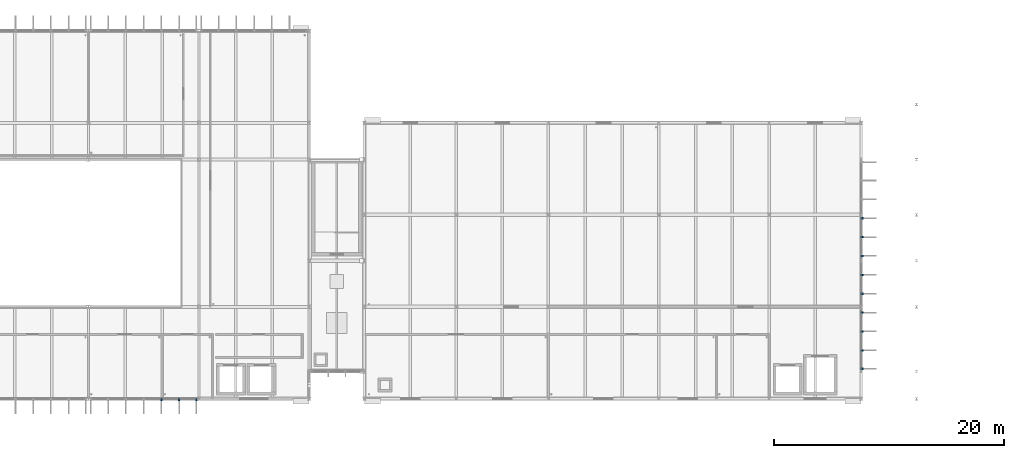
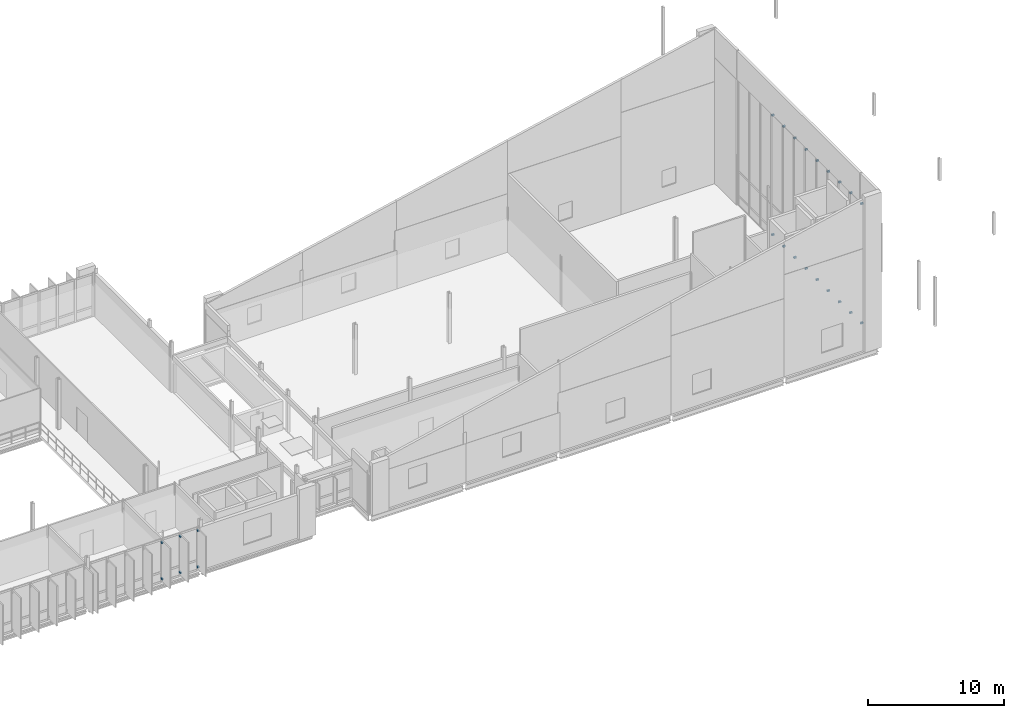
# One storey, part 53 of 59: 24 discrete accessories.
"""IFC4 building model written with IfcOpenShell, lengths in metres."""

from ifc_helpers import new_model, si_unit, direction, frame, origin, origin_2d, place, context, subcontext, project, spatial, rectangle, extrude, material, type_object, element, save


model = new_model("IFC4")

# Units and contexts
model_context = context("Model", 3, precision=1e-05, world=origin(), true_north=direction((0.0, 1.0)))
body_context = subcontext(model_context, "Body", "Model", "MODEL_VIEW")
ifc_project = project(units=[si_unit("LENGTHUNIT", "METRE"), si_unit("AREAUNIT", "SQUARE_METRE"), si_unit("VOLUMEUNIT", "CUBIC_METRE"), si_unit("PLANEANGLEUNIT", "RADIAN"), si_unit("MASSUNIT", "GRAM", prefix="KILO")], contexts=[model_context])

# Site, building, storey
site_placement = place(None, origin())
site = spatial("IfcSite", under=ifc_project, at=site_placement, CompositionType="ELEMENT")
building_placement = place(site_placement, origin())
building = spatial("IfcBuilding", under=site, at=building_placement, Name="Dunescarp Central Library", CompositionType="ELEMENT")
storey_placement = place(building_placement, frame((0.0, 0.0, 18.60009765625)))
storey = spatial("IfcBuildingStorey", under=building, at=storey_placement, Name="L04", CompositionType="ELEMENT", Elevation=18.60009765625)

# Discrete accessories
ifc_material = material(Name="Stainless steel Grade 316L", Category="steel")
discrete_accessory_type = type_object("IfcDiscreteAccessoryType", Name="ARC-ACC-BRK", PredefinedType="BRACKET", material=ifc_material)
for number, where, z_axis, x_axis, name in (
    (1, (66.985107421875, 4.719970703125, 0.27685546875), (0.0, 0.0, 1.0), (0.0, -1.0, 0.0), "Fin bracket BRK-FIN-L04-0477-B"),
    (2, (66.985107421875, 4.719970703125, 3.52490234375), (0.0, 0.0, 1.0), (0.0, -1.0, 0.0), "Fin bracket BRK-FIN-L04-0477-T"),
    (3, (65.48291015625, 4.719970703125, 0.2900390625), (0.0, 0.0, 1.0), (0.0, -1.0, 0.0), "Fin bracket BRK-FIN-L04-0478-B"),
    (4, (65.48291015625, 4.719970703125, 3.52490234375), (0.0, 0.0, 1.0), (0.0, -1.0, 0.0), "Fin bracket BRK-FIN-L04-0478-T"),
    (5, (63.94189453125, 4.719970703125, 0.27392578125), (0.0, 0.0, 1.0), (0.0, -1.0, 0.0), "Fin bracket BRK-FIN-L04-0479-B"),
    (6, (63.94189453125, 4.719970703125, 3.52490234375), (0.0, 0.0, 1.0), (0.0, -1.0, 0.0), "Fin bracket BRK-FIN-L04-0479-T"),
    (7, (124.8798828125, 20.501953125, 0.23291015625), (0.0, 0.0, 1.0), (1.0, 0.0, 0.0), "Fin bracket BRK-FIN-L04-0734-B"),
    (8, (124.8798828125, 20.501953125, 10.9638671875), (0.0, 0.0, 1.0), (1.0, 0.0, 0.0), "Fin bracket BRK-FIN-L04-0734-T"),
    (9, (124.8798828125, 18.861083984375, 0.18994140625), (0.0, 0.0, 1.0), (1.0, 0.0, 0.0), "Fin bracket BRK-FIN-L04-0735-B"),
    (10, (124.8798828125, 18.861083984375, 10.953125), (0.0, 0.0, 1.0), (1.0, 0.0, 0.0), "Fin bracket BRK-FIN-L04-0735-T"),
    (11, (124.8798828125, 17.219970703125, 0.18994140625), (0.0, 0.0, 1.0), (1.0, 0.0, 0.0), "Fin bracket BRK-FIN-L04-0736-B"),
    (12, (124.8798828125, 17.219970703125, 10.90283203125), (0.0, 0.0, 1.0), (1.0, 0.0, 0.0), "Fin bracket BRK-FIN-L04-0736-T"),
    (13, (124.8798828125, 15.580078125, 0.18994140625), (0.0, 0.0, 1.0), (1.0, 0.0, 0.0), "Fin bracket BRK-FIN-L04-0737-B"),
    (14, (124.8798828125, 15.580078125, 10.8701171875), (0.0, 0.0, 1.0), (1.0, 0.0, 0.0), "Fin bracket BRK-FIN-L04-0737-T"),
    (15, (124.8798828125, 13.93896484375, 0.18994140625), (0.0, 0.0, 1.0), (1.0, 0.0, 0.0), "Fin bracket BRK-FIN-L04-0738-B"),
    (16, (124.8798828125, 13.93896484375, 10.86572265625), (0.0, 0.0, 1.0), (1.0, 0.0, 0.0), "Fin bracket BRK-FIN-L04-0738-T"),
    (17, (124.8798828125, 12.298095703125, 0.18994140625), (0.0, 0.0, 1.0), (1.0, 0.0, 0.0), "Fin bracket BRK-FIN-L04-0739-B"),
    (18, (124.8798828125, 12.298095703125, 10.89013671875), (0.0, 0.0, 1.0), (1.0, 0.0, 0.0), "Fin bracket BRK-FIN-L04-0739-T"),
    (19, (124.8798828125, 10.656982421875, 0.18994140625), (0.0, 0.0, 1.0), (1.0, 0.0, 0.0), "Fin bracket BRK-FIN-L04-0740-B"),
    (20, (124.8798828125, 10.656982421875, 10.93603515625), (0.0, 0.0, 1.0), (1.0, 0.0, 0.0), "Fin bracket BRK-FIN-L04-0740-T"),
    (21, (124.8798828125, 9.01611328125, 0.2158203125), (0.0, 0.0, 1.0), (1.0, 0.0, 0.0), "Fin bracket BRK-FIN-L04-0741-B"),
    (22, (124.8798828125, 9.01611328125, 10.9638671875), (0.0, 0.0, 1.0), (1.0, 0.0, 0.0), "Fin bracket BRK-FIN-L04-0741-T"),
    (23, (124.8798828125, 7.4150390625, 0.26318359375), (0.0, 0.0, 1.0), (1.0, 0.0, 0.0), "Fin bracket BRK-FIN-L04-0742-B"),
    (24, (124.8798828125, 7.4150390625, 10.9638671875), (0.0, 0.0, 1.0), (1.0, 0.0, 0.0), "Fin bracket BRK-FIN-L04-0742-T"),
):
    element("IfcDiscreteAccessory", number, at=place(storey_placement, frame(where, z_axis=z_axis, x_axis=x_axis)), inside=storey, type_object=discrete_accessory_type, Name=name, PredefinedType="BRACKET", context=body_context, shape_type="SweptSolid", body=[
        extrude(rectangle(XDim=0.219970703125, YDim=0.139892578125, at=origin_2d()), origin(), (0.0, 0.0, 1.0), 0.139892578125),
    ])

save(model, "model.ifc")
